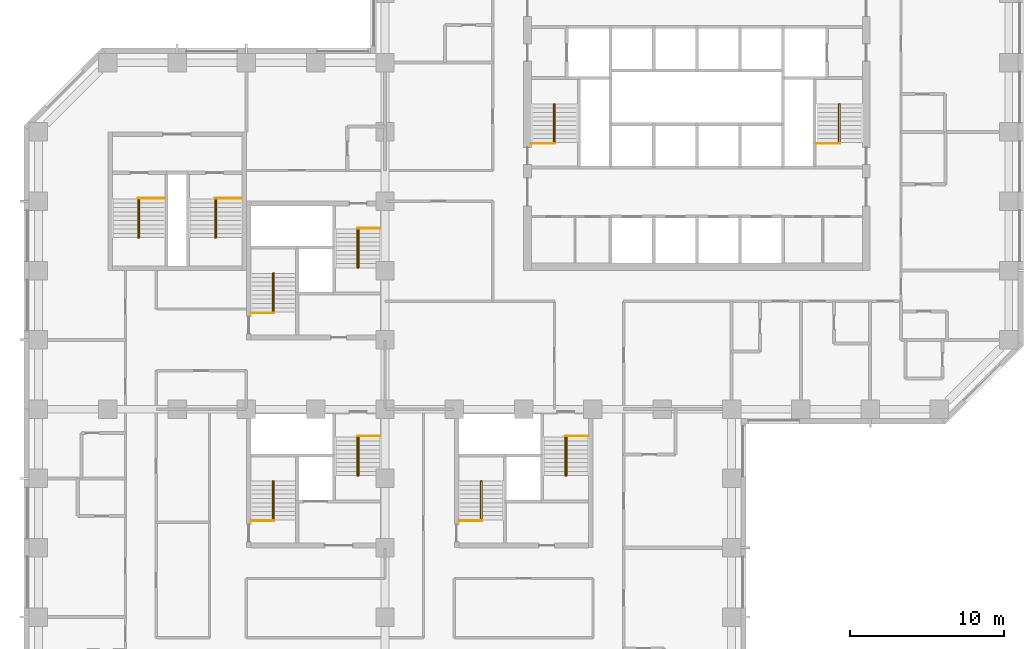
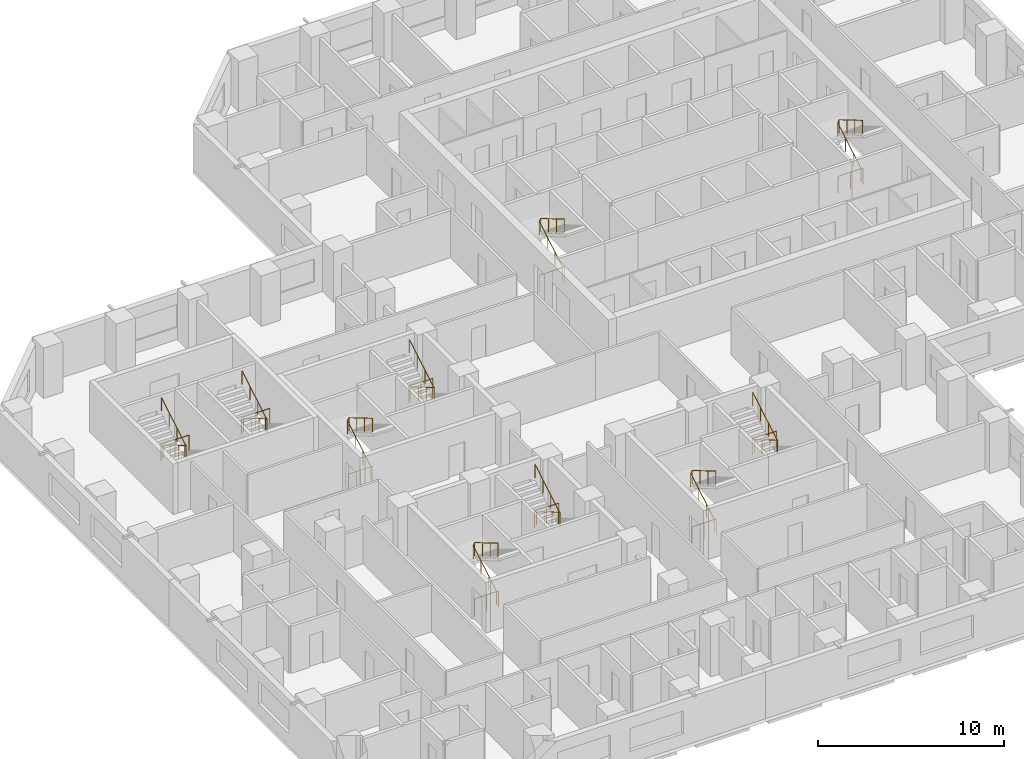
# One storey, part 13 of 13: 20 railings.
"""IFC4 building model written with IfcOpenShell, lengths in metres."""

from ifc_helpers import new_model, si_unit, direction, frame, origin, origin_2d, place, context, subcontext, project, spatial, circle, extrude, material, type_object, element, save


model = new_model("IFC4")

# Units and contexts
model_context = context("Model", 3, precision=1e-05, world=origin(), true_north=direction((0.0, 1.0)))
body_context = subcontext(model_context, "Body", "Model", "MODEL_VIEW")
ifc_project = project(units=[si_unit("LENGTHUNIT", "METRE"), si_unit("AREAUNIT", "SQUARE_METRE"), si_unit("VOLUMEUNIT", "CUBIC_METRE"), si_unit("PLANEANGLEUNIT", "RADIAN"), si_unit("MASSUNIT", "GRAM", prefix="KILO")], contexts=[model_context])

# Site, building, storey
site_placement = place(None, origin())
site = spatial("IfcSite", under=ifc_project, at=site_placement, CompositionType="ELEMENT")
building_placement = place(site_placement, origin())
building = spatial("IfcBuilding", under=site, at=building_placement, Name="Quoin Convention Tower", CompositionType="ELEMENT")
storey_placement = place(building_placement, frame((0.0, 0.0, 49.5)))
storey = spatial("IfcBuildingStorey", under=building, at=storey_placement, Name="L12", CompositionType="ELEMENT", Elevation=49.5)

# Railings
ifc_material = material(Name="Stainless steel", Category="steel")
railing_type_1 = type_object("IfcRailingType", Name="Stair handrail 900", PredefinedType="HANDRAIL", material=ifc_material)
for number, where, name in (
    (1, (46.955078125, 57.800048828125, 0.1650390625), "SD1 handrail 1"),
    (2, (65.455078125, 57.800048828125, 0.1650390625), "SD2 handrail 1"),
    (3, (28.705078125, 46.800048828125, 0.1650390625), "SD3 handrail 1"),
):
    element("IfcRailing", number, at=place(storey_placement, frame(where)), inside=storey, type_object=railing_type_1, Name=name, PredefinedType="HANDRAIL", context=body_context, shape_type="SweptSolid", body=[
        extrude(circle(Radius=0.02392578125, at=origin_2d()), frame((0.0, 0.0, 0.8759765625), z_axis=(0.0, 0.861560626758, 0.507654692109), x_axis=(-1.0, 0.0, 0.0)), (0.0, 0.0, 1.0), 2.925048828125),
        extrude(circle(Radius=0.02392578125, at=origin_2d()), frame((0.0, 2.52001953125, 2.36083984375), z_axis=(0.478123724308, 0.0, 0.878292493566), x_axis=(0.0, 1.0, 0.0)), (0.0, 0.0, 1.0), 0.18798828125),
        extrude(circle(Radius=0.02392578125, at=origin_2d()), frame((0.08984375, 2.52001953125, 2.52587890625), z_axis=(0.0, -0.86152411907, 0.507716645641), x_axis=(1.0, 0.0, 0.0)), (0.0, 0.0, 1.0), 2.925048828125),
        extrude(circle(Radius=0.02099609375, at=origin_2d()), origin(), (0.0, 0.0, 1.0), 0.851806640625),
        extrude(circle(Radius=0.02099609375, at=origin_2d()), frame((0.0, 0.840087890625, 0.494873046875)), (0.0, 0.0, 1.0), 0.851806640625),
        extrude(circle(Radius=0.02099609375, at=origin_2d()), frame((0.0, 1.679931640625, 0.989990234375)), (0.0, 0.0, 1.0), 0.851806640625),
        extrude(circle(Radius=0.02099609375, at=origin_2d()), frame((0.0, 2.52001953125, 1.48486328125)), (0.0, 0.0, 1.0), 0.851806640625),
        extrude(circle(Radius=0.02099609375, at=origin_2d()), frame((0.08984375, 2.52001953125, 1.64990234375)), (0.0, 0.0, 1.0), 0.851806640625),
        extrude(circle(Radius=0.02099609375, at=origin_2d()), frame((0.08984375, 1.679931640625, 2.14501953125)), (0.0, 0.0, 1.0), 0.851806640625),
        extrude(circle(Radius=0.02099609375, at=origin_2d()), frame((0.08984375, 0.840087890625, 2.639892578125)), (0.0, 0.0, 1.0), 0.851806640625),
        extrude(circle(Radius=0.02099609375, at=origin_2d()), frame((0.08984375, 0.0, 3.135009765625)), (0.0, 0.0, 1.0), 0.851806640625),
    ])
railing_1_placement = place(storey_placement, frame((34.294921875, 52.199951171875, 0.1650390625)))
element("IfcRailing", 4, at=railing_1_placement, inside=storey, type_object=railing_type_1, Name="SD4 handrail 1", PredefinedType="HANDRAIL", context=body_context, shape_type="SweptSolid", body=[
    extrude(circle(Radius=0.02392578125, at=origin_2d()), frame((0.0, 0.0, 0.8759765625), z_axis=(0.0, -0.861560626758, 0.507654692109), x_axis=(1.0, 0.0, 0.0)), (0.0, 0.0, 1.0), 2.925048828125),
    extrude(circle(Radius=0.02392578125, at=origin_2d()), frame((0.0, -2.52001953125, 2.36083984375), z_axis=(-0.478123724308, 0.0, 0.878292493566), x_axis=(0.0, -1.0, 0.0)), (0.0, 0.0, 1.0), 0.18798828125),
    extrude(circle(Radius=0.02392578125, at=origin_2d()), frame((-0.08984375, -2.52001953125, 2.52587890625), z_axis=(0.0, 0.86152411907, 0.507716645641), x_axis=(-1.0, 0.0, 0.0)), (0.0, 0.0, 1.0), 2.925048828125),
    extrude(circle(Radius=0.02099609375, at=origin_2d()), origin(), (0.0, 0.0, 1.0), 0.851806640625),
    extrude(circle(Radius=0.02099609375, at=origin_2d()), frame((0.0, -0.840087890625, 0.494873046875)), (0.0, 0.0, 1.0), 0.851806640625),
    extrude(circle(Radius=0.02099609375, at=origin_2d()), frame((0.0, -1.679931640625, 0.989990234375)), (0.0, 0.0, 1.0), 0.851806640625),
    extrude(circle(Radius=0.02099609375, at=origin_2d()), frame((0.0, -2.52001953125, 1.48486328125)), (0.0, 0.0, 1.0), 0.851806640625),
    extrude(circle(Radius=0.02099609375, at=origin_2d()), frame((-0.08984375, -2.52001953125, 1.64990234375)), (0.0, 0.0, 1.0), 0.851806640625),
    extrude(circle(Radius=0.02099609375, at=origin_2d()), frame((-0.08984375, -1.679931640625, 2.14501953125)), (0.0, 0.0, 1.0), 0.851806640625),
    extrude(circle(Radius=0.02099609375, at=origin_2d()), frame((-0.08984375, -0.840087890625, 2.639892578125)), (0.0, 0.0, 1.0), 0.851806640625),
    extrude(circle(Radius=0.02099609375, at=origin_2d()), frame((-0.08984375, 0.0, 3.135009765625)), (0.0, 0.0, 1.0), 0.851806640625),
])
railing_2_placement = place(storey_placement, frame((42.205078125, 33.300048828125, 0.1650390625)))
element("IfcRailing", 5, at=railing_2_placement, inside=storey, type_object=railing_type_1, Name="SD5 handrail 1", PredefinedType="HANDRAIL", context=body_context, shape_type="SweptSolid", body=[
    extrude(circle(Radius=0.02392578125, at=origin_2d()), frame((0.0, 0.0, 0.8759765625), z_axis=(0.0, 0.861560626758, 0.507654692109), x_axis=(-1.0, 0.0, 0.0)), (0.0, 0.0, 1.0), 2.925048828125),
    extrude(circle(Radius=0.02392578125, at=origin_2d()), frame((0.0, 2.52001953125, 2.36083984375), z_axis=(0.478123724308, 0.0, 0.878292493566), x_axis=(0.0, 1.0, 0.0)), (0.0, 0.0, 1.0), 0.18798828125),
    extrude(circle(Radius=0.02392578125, at=origin_2d()), frame((0.08984375, 2.52001953125, 2.52587890625), z_axis=(0.0, -0.86152411907, 0.507716645641), x_axis=(1.0, 0.0, 0.0)), (0.0, 0.0, 1.0), 2.925048828125),
    extrude(circle(Radius=0.02099609375, at=origin_2d()), origin(), (0.0, 0.0, 1.0), 0.851806640625),
    extrude(circle(Radius=0.02099609375, at=origin_2d()), frame((0.0, 0.840087890625, 0.494873046875)), (0.0, 0.0, 1.0), 0.851806640625),
    extrude(circle(Radius=0.02099609375, at=origin_2d()), frame((0.0, 1.679931640625, 0.989990234375)), (0.0, 0.0, 1.0), 0.851806640625),
    extrude(circle(Radius=0.02099609375, at=origin_2d()), frame((0.0, 2.52001953125, 1.48486328125)), (0.0, 0.0, 1.0), 0.851806640625),
    extrude(circle(Radius=0.02099609375, at=origin_2d()), frame((0.08984375, 2.52001953125, 1.64990234375)), (0.0, 0.0, 1.0), 0.851806640625),
    extrude(circle(Radius=0.02099609375, at=origin_2d()), frame((0.08984375, 1.679931640625, 2.14501953125)), (0.0, 0.0, 1.0), 0.851806640625),
    extrude(circle(Radius=0.02099609375, at=origin_2d()), frame((0.08984375, 0.840087890625, 2.639892578125)), (0.0, 0.0, 1.0), 0.851806640625),
    extrude(circle(Radius=0.02099609375, at=origin_2d()), frame((0.08984375, 0.0, 3.135009765625)), (0.0, 0.0, 1.0), 0.851806640625),
])
railing_3_placement = place(storey_placement, frame((47.794921875, 38.699951171875, 0.1650390625)))
element("IfcRailing", 6, at=railing_3_placement, inside=storey, type_object=railing_type_1, Name="SD6 handrail 1", PredefinedType="HANDRAIL", context=body_context, shape_type="SweptSolid", body=[
    extrude(circle(Radius=0.02392578125, at=origin_2d()), frame((0.0, 0.0, 0.8759765625), z_axis=(0.0, -0.861560626758, 0.507654692109), x_axis=(1.0, 0.0, 0.0)), (0.0, 0.0, 1.0), 2.925048828125),
    extrude(circle(Radius=0.02392578125, at=origin_2d()), frame((0.0, -2.52001953125, 2.36083984375), z_axis=(-0.478123724308, 0.0, 0.878292493566), x_axis=(0.0, -1.0, 0.0)), (0.0, 0.0, 1.0), 0.18798828125),
    extrude(circle(Radius=0.02392578125, at=origin_2d()), frame((-0.08984375, -2.52001953125, 2.52587890625), z_axis=(0.0, 0.86152411907, 0.507716645641), x_axis=(-1.0, 0.0, 0.0)), (0.0, 0.0, 1.0), 2.925048828125),
    extrude(circle(Radius=0.02099609375, at=origin_2d()), origin(), (0.0, 0.0, 1.0), 0.851806640625),
    extrude(circle(Radius=0.02099609375, at=origin_2d()), frame((0.0, -0.840087890625, 0.494873046875)), (0.0, 0.0, 1.0), 0.851806640625),
    extrude(circle(Radius=0.02099609375, at=origin_2d()), frame((0.0, -1.679931640625, 0.989990234375)), (0.0, 0.0, 1.0), 0.851806640625),
    extrude(circle(Radius=0.02099609375, at=origin_2d()), frame((0.0, -2.52001953125, 1.48486328125)), (0.0, 0.0, 1.0), 0.851806640625),
    extrude(circle(Radius=0.02099609375, at=origin_2d()), frame((-0.08984375, -2.52001953125, 1.64990234375)), (0.0, 0.0, 1.0), 0.851806640625),
    extrude(circle(Radius=0.02099609375, at=origin_2d()), frame((-0.08984375, -1.679931640625, 2.14501953125)), (0.0, 0.0, 1.0), 0.851806640625),
    extrude(circle(Radius=0.02099609375, at=origin_2d()), frame((-0.08984375, -0.840087890625, 2.639892578125)), (0.0, 0.0, 1.0), 0.851806640625),
    extrude(circle(Radius=0.02099609375, at=origin_2d()), frame((-0.08984375, 0.0, 3.135009765625)), (0.0, 0.0, 1.0), 0.851806640625),
])
railing_4_placement = place(storey_placement, frame((28.705078125, 33.300048828125, 0.1650390625)))
element("IfcRailing", 7, at=railing_4_placement, inside=storey, type_object=railing_type_1, Name="SD7 handrail 1", PredefinedType="HANDRAIL", context=body_context, shape_type="SweptSolid", body=[
    extrude(circle(Radius=0.02392578125, at=origin_2d()), frame((0.0, 0.0, 0.8759765625), z_axis=(0.0, 0.861560626758, 0.507654692109), x_axis=(-1.0, 0.0, 0.0)), (0.0, 0.0, 1.0), 2.925048828125),
    extrude(circle(Radius=0.02392578125, at=origin_2d()), frame((0.0, 2.52001953125, 2.36083984375), z_axis=(0.478123724308, 0.0, 0.878292493566), x_axis=(0.0, 1.0, 0.0)), (0.0, 0.0, 1.0), 0.18798828125),
    extrude(circle(Radius=0.02392578125, at=origin_2d()), frame((0.08984375, 2.52001953125, 2.52587890625), z_axis=(0.0, -0.86152411907, 0.507716645641), x_axis=(1.0, 0.0, 0.0)), (0.0, 0.0, 1.0), 2.925048828125),
    extrude(circle(Radius=0.02099609375, at=origin_2d()), origin(), (0.0, 0.0, 1.0), 0.851806640625),
    extrude(circle(Radius=0.02099609375, at=origin_2d()), frame((0.0, 0.840087890625, 0.494873046875)), (0.0, 0.0, 1.0), 0.851806640625),
    extrude(circle(Radius=0.02099609375, at=origin_2d()), frame((0.0, 1.679931640625, 0.989990234375)), (0.0, 0.0, 1.0), 0.851806640625),
    extrude(circle(Radius=0.02099609375, at=origin_2d()), frame((0.0, 2.52001953125, 1.48486328125)), (0.0, 0.0, 1.0), 0.851806640625),
    extrude(circle(Radius=0.02099609375, at=origin_2d()), frame((0.08984375, 2.52001953125, 1.64990234375)), (0.0, 0.0, 1.0), 0.851806640625),
    extrude(circle(Radius=0.02099609375, at=origin_2d()), frame((0.08984375, 1.679931640625, 2.14501953125)), (0.0, 0.0, 1.0), 0.851806640625),
    extrude(circle(Radius=0.02099609375, at=origin_2d()), frame((0.08984375, 0.840087890625, 2.639892578125)), (0.0, 0.0, 1.0), 0.851806640625),
    extrude(circle(Radius=0.02099609375, at=origin_2d()), frame((0.08984375, 0.0, 3.135009765625)), (0.0, 0.0, 1.0), 0.851806640625),
])
for number, where, name in (
    (8, (34.294921875, 38.699951171875, 0.1650390625), "SD8 handrail 1"),
    (9, (20.044921875, 54.14990234375, 0.1650390625), "SD11 handrail 1"),
    (10, (25.044921875, 54.14990234375, 0.1650390625), "SD12 handrail 1"),
):
    element("IfcRailing", number, at=place(storey_placement, frame(where)), inside=storey, type_object=railing_type_1, Name=name, PredefinedType="HANDRAIL", context=body_context, shape_type="SweptSolid", body=[
        extrude(circle(Radius=0.02392578125, at=origin_2d()), frame((0.0, 0.0, 0.8759765625), z_axis=(0.0, -0.861560626758, 0.507654692109), x_axis=(1.0, 0.0, 0.0)), (0.0, 0.0, 1.0), 2.925048828125),
        extrude(circle(Radius=0.02392578125, at=origin_2d()), frame((0.0, -2.52001953125, 2.36083984375), z_axis=(-0.478123724308, 0.0, 0.878292493566), x_axis=(0.0, -1.0, 0.0)), (0.0, 0.0, 1.0), 0.18798828125),
        extrude(circle(Radius=0.02392578125, at=origin_2d()), frame((-0.08984375, -2.52001953125, 2.52587890625), z_axis=(0.0, 0.86152411907, 0.507716645641), x_axis=(-1.0, 0.0, 0.0)), (0.0, 0.0, 1.0), 2.925048828125),
        extrude(circle(Radius=0.02099609375, at=origin_2d()), origin(), (0.0, 0.0, 1.0), 0.851806640625),
        extrude(circle(Radius=0.02099609375, at=origin_2d()), frame((0.0, -0.840087890625, 0.494873046875)), (0.0, 0.0, 1.0), 0.851806640625),
        extrude(circle(Radius=0.02099609375, at=origin_2d()), frame((0.0, -1.679931640625, 0.989990234375)), (0.0, 0.0, 1.0), 0.851806640625),
        extrude(circle(Radius=0.02099609375, at=origin_2d()), frame((0.0, -2.52001953125, 1.48486328125)), (0.0, 0.0, 1.0), 0.851806640625),
        extrude(circle(Radius=0.02099609375, at=origin_2d()), frame((-0.08984375, -2.52001953125, 1.64990234375)), (0.0, 0.0, 1.0), 0.851806640625),
        extrude(circle(Radius=0.02099609375, at=origin_2d()), frame((-0.08984375, -1.679931640625, 2.14501953125)), (0.0, 0.0, 1.0), 0.851806640625),
        extrude(circle(Radius=0.02099609375, at=origin_2d()), frame((-0.08984375, -0.840087890625, 2.639892578125)), (0.0, 0.0, 1.0), 0.851806640625),
        extrude(circle(Radius=0.02099609375, at=origin_2d()), frame((-0.08984375, 0.0, 3.135009765625)), (0.0, 0.0, 1.0), 0.851806640625),
    ])
railing_type_2 = type_object("IfcRailingType", Name="Stair top guard 1100", PredefinedType="GUARDRAIL", material=ifc_material)
for number, where, name in (
    (11, (45.5, 57.75, 0.0), "SD1 top guard"),
    (12, (64.0, 57.75, 0.0), "SD2 top guard"),
):
    element("IfcRailing", number, at=place(storey_placement, frame(where)), inside=storey, type_object=railing_type_2, Name=name, PredefinedType="GUARDRAIL", context=body_context, shape_type="SweptSolid", body=[
        extrude(circle(Radius=0.02392578125, at=origin_2d()), frame((0.0, 0.0, 1.076171875), z_axis=(1.0, 0.0, 0.0), x_axis=(0.0, 1.0, 0.0)), (0.0, 0.0, 1.0), 1.544921875),
        extrude(circle(Radius=0.02099609375, at=origin_2d()), origin(), (0.0, 0.0, 1.0), 1.052001953125),
        extrude(circle(Radius=0.02099609375, at=origin_2d()), frame((0.7724609375, 0.0, 0.0)), (0.0, 0.0, 1.0), 1.052001953125),
        extrude(circle(Radius=0.02099609375, at=origin_2d()), frame((1.544921875, 0.0, 0.0)), (0.0, 0.0, 1.0), 1.052001953125),
    ])
railing_5_placement = place(storey_placement, frame((27.300048828125, 46.75, 0.0)))
element("IfcRailing", 13, at=railing_5_placement, inside=storey, type_object=railing_type_2, Name="SD3 top guard", PredefinedType="GUARDRAIL", context=body_context, shape_type="SweptSolid", body=[
    extrude(circle(Radius=0.02392578125, at=origin_2d()), frame((0.0, 0.0, 1.076171875), z_axis=(1.0, 0.0, 0.0), x_axis=(0.0, 1.0, 0.0)), (0.0, 0.0, 1.0), 1.494873046875),
    extrude(circle(Radius=0.02099609375, at=origin_2d()), origin(), (0.0, 0.0, 1.0), 1.052001953125),
    extrude(circle(Radius=0.02099609375, at=origin_2d()), frame((0.74755859375, 0.0, 0.0)), (0.0, 0.0, 1.0), 1.052001953125),
    extrude(circle(Radius=0.02099609375, at=origin_2d()), frame((1.494873046875, 0.0, 0.0)), (0.0, 0.0, 1.0), 1.052001953125),
])
railing_6_placement = place(storey_placement, frame((35.699951171875, 52.25, 0.0)))
element("IfcRailing", 14, at=railing_6_placement, inside=storey, type_object=railing_type_2, Name="SD4 top guard", PredefinedType="GUARDRAIL", context=body_context, shape_type="SweptSolid", body=[
    extrude(circle(Radius=0.02392578125, at=origin_2d()), frame((0.0, 0.0, 1.076171875), z_axis=(-1.0, 0.0, 0.0), x_axis=(0.0, -1.0, 0.0)), (0.0, 0.0, 1.0), 1.494873046875),
    extrude(circle(Radius=0.02099609375, at=origin_2d()), origin(), (0.0, 0.0, 1.0), 1.052001953125),
    extrude(circle(Radius=0.02099609375, at=origin_2d()), frame((-0.74755859375, 0.0, 0.0)), (0.0, 0.0, 1.0), 1.052001953125),
    extrude(circle(Radius=0.02099609375, at=origin_2d()), frame((-1.494873046875, 0.0, 0.0)), (0.0, 0.0, 1.0), 1.052001953125),
])
railing_7_placement = place(storey_placement, frame((40.800048828125, 33.25, 0.0)))
element("IfcRailing", 15, at=railing_7_placement, inside=storey, type_object=railing_type_2, Name="SD5 top guard", PredefinedType="GUARDRAIL", context=body_context, shape_type="SweptSolid", body=[
    extrude(circle(Radius=0.02392578125, at=origin_2d()), frame((0.0, 0.0, 1.076171875), z_axis=(1.0, 0.0, 0.0), x_axis=(0.0, 1.0, 0.0)), (0.0, 0.0, 1.0), 1.494873046875),
    extrude(circle(Radius=0.02099609375, at=origin_2d()), origin(), (0.0, 0.0, 1.0), 1.052001953125),
    extrude(circle(Radius=0.02099609375, at=origin_2d()), frame((0.74755859375, 0.0, 0.0)), (0.0, 0.0, 1.0), 1.052001953125),
    extrude(circle(Radius=0.02099609375, at=origin_2d()), frame((1.494873046875, 0.0, 0.0)), (0.0, 0.0, 1.0), 1.052001953125),
])
railing_8_placement = place(storey_placement, frame((49.199951171875, 38.75, 0.0)))
element("IfcRailing", 16, at=railing_8_placement, inside=storey, type_object=railing_type_2, Name="SD6 top guard", PredefinedType="GUARDRAIL", context=body_context, shape_type="SweptSolid", body=[
    extrude(circle(Radius=0.02392578125, at=origin_2d()), frame((0.0, 0.0, 1.076171875), z_axis=(-1.0, 0.0, 0.0), x_axis=(0.0, -1.0, 0.0)), (0.0, 0.0, 1.0), 1.494873046875),
    extrude(circle(Radius=0.02099609375, at=origin_2d()), origin(), (0.0, 0.0, 1.0), 1.052001953125),
    extrude(circle(Radius=0.02099609375, at=origin_2d()), frame((-0.74755859375, 0.0, 0.0)), (0.0, 0.0, 1.0), 1.052001953125),
    extrude(circle(Radius=0.02099609375, at=origin_2d()), frame((-1.494873046875, 0.0, 0.0)), (0.0, 0.0, 1.0), 1.052001953125),
])
railing_9_placement = place(storey_placement, frame((27.300048828125, 33.25, 0.0)))
element("IfcRailing", 17, at=railing_9_placement, inside=storey, type_object=railing_type_2, Name="SD7 top guard", PredefinedType="GUARDRAIL", context=body_context, shape_type="SweptSolid", body=[
    extrude(circle(Radius=0.02392578125, at=origin_2d()), frame((0.0, 0.0, 1.076171875), z_axis=(1.0, 0.0, 0.0), x_axis=(0.0, 1.0, 0.0)), (0.0, 0.0, 1.0), 1.494873046875),
    extrude(circle(Radius=0.02099609375, at=origin_2d()), origin(), (0.0, 0.0, 1.0), 1.052001953125),
    extrude(circle(Radius=0.02099609375, at=origin_2d()), frame((0.74755859375, 0.0, 0.0)), (0.0, 0.0, 1.0), 1.052001953125),
    extrude(circle(Radius=0.02099609375, at=origin_2d()), frame((1.494873046875, 0.0, 0.0)), (0.0, 0.0, 1.0), 1.052001953125),
])
railing_10_placement = place(storey_placement, frame((35.699951171875, 38.75, 0.0)))
element("IfcRailing", 18, at=railing_10_placement, inside=storey, type_object=railing_type_2, Name="SD8 top guard", PredefinedType="GUARDRAIL", context=body_context, shape_type="SweptSolid", body=[
    extrude(circle(Radius=0.02392578125, at=origin_2d()), frame((0.0, 0.0, 1.076171875), z_axis=(-1.0, 0.0, 0.0), x_axis=(0.0, -1.0, 0.0)), (0.0, 0.0, 1.0), 1.494873046875),
    extrude(circle(Radius=0.02099609375, at=origin_2d()), origin(), (0.0, 0.0, 1.0), 1.052001953125),
    extrude(circle(Radius=0.02099609375, at=origin_2d()), frame((-0.74755859375, 0.0, 0.0)), (0.0, 0.0, 1.0), 1.052001953125),
    extrude(circle(Radius=0.02099609375, at=origin_2d()), frame((-1.494873046875, 0.0, 0.0)), (0.0, 0.0, 1.0), 1.052001953125),
])
for number, where, name in (
    (19, (21.699951171875, 54.199951171875, 0.0), "SD11 top guard"),
    (20, (26.699951171875, 54.199951171875, 0.0), "SD12 top guard"),
):
    element("IfcRailing", number, at=place(storey_placement, frame(where)), inside=storey, type_object=railing_type_2, Name=name, PredefinedType="GUARDRAIL", context=body_context, shape_type="SweptSolid", body=[
        extrude(circle(Radius=0.02392578125, at=origin_2d()), frame((0.0, 0.0, 1.076171875), z_axis=(-1.0, 0.0, 0.0), x_axis=(0.0, -1.0, 0.0)), (0.0, 0.0, 1.0), 1.744873046875),
        extrude(circle(Radius=0.02099609375, at=origin_2d()), origin(), (0.0, 0.0, 1.0), 1.052001953125),
        extrude(circle(Radius=0.02099609375, at=origin_2d()), frame((-0.87255859375, 0.0, 0.0)), (0.0, 0.0, 1.0), 1.052001953125),
        extrude(circle(Radius=0.02099609375, at=origin_2d()), frame((-1.744873046875, 0.0, 0.0)), (0.0, 0.0, 1.0), 1.052001953125),
    ])

save(model, "model.ifc")
